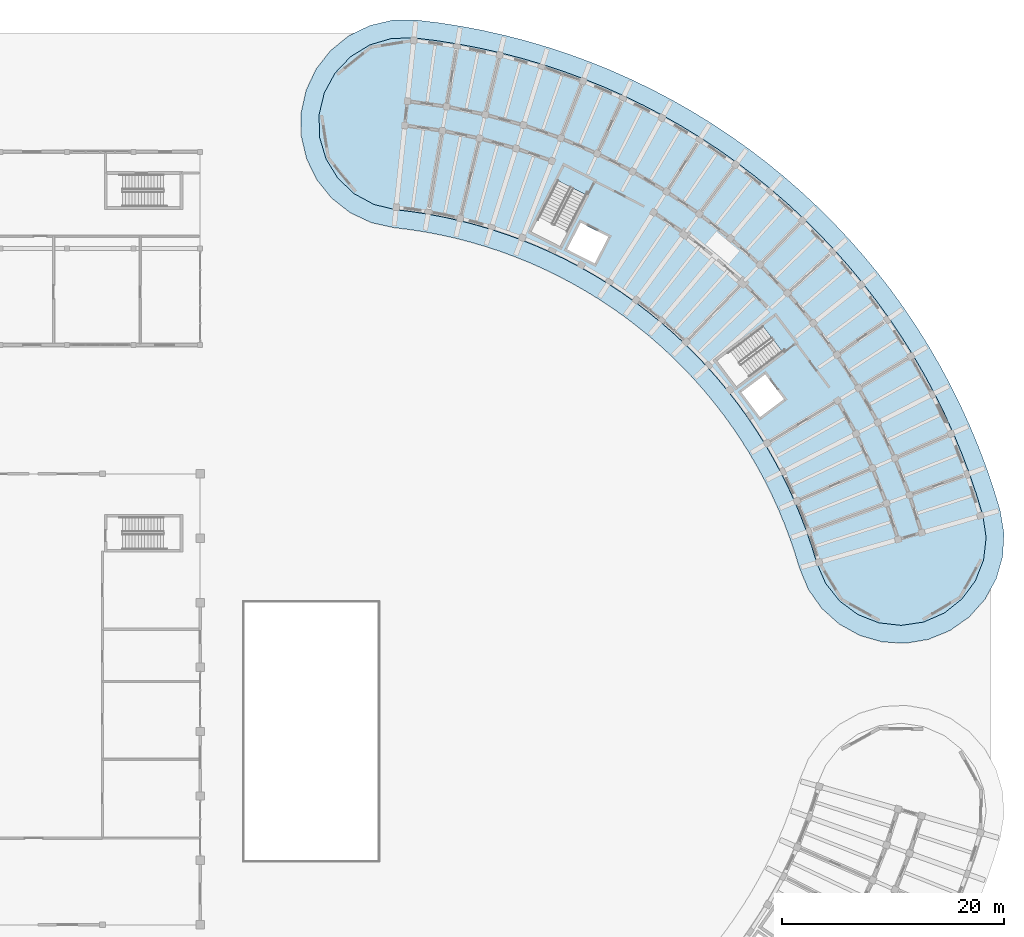
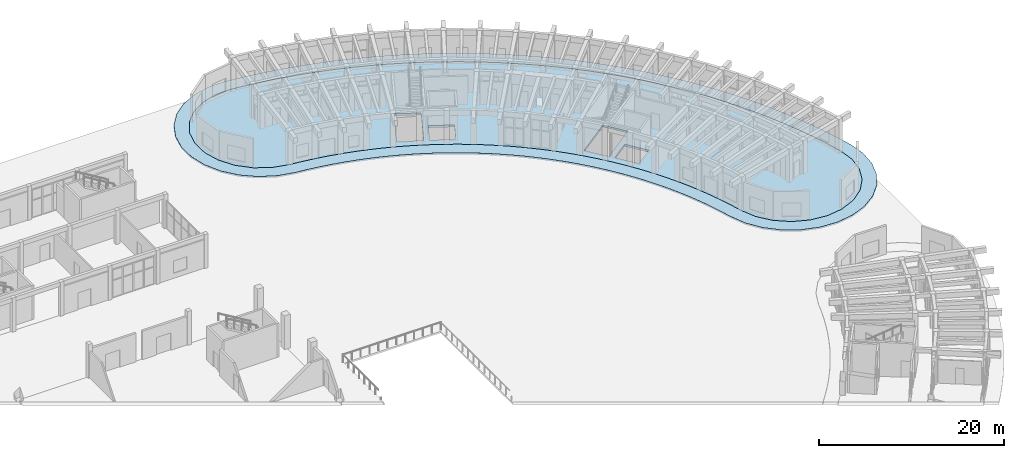
# One storey, part 83 of 132: 2 slabs.
"""IFC4 building model written with IfcOpenShell, lengths in metres."""

from ifc_helpers import new_model, si_unit, direction, frame, origin, place, context, subcontext, project, spatial, polyline, outline, extrude, material, layer, layer_set, type_object, element, save


model = new_model("IFC4")

# Units and contexts
model_context = context("Model", 3, precision=1e-05, world=origin(), true_north=direction((0.0, 1.0)))
body_context = subcontext(model_context, "Body", "Model", "MODEL_VIEW")
ifc_project = project(units=[si_unit("LENGTHUNIT", "METRE"), si_unit("AREAUNIT", "SQUARE_METRE"), si_unit("VOLUMEUNIT", "CUBIC_METRE"), si_unit("PLANEANGLEUNIT", "RADIAN"), si_unit("MASSUNIT", "GRAM", prefix="KILO")], contexts=[model_context])

# Site, building, storey
site_placement = place(None, origin())
site = spatial("IfcSite", under=ifc_project, at=site_placement, CompositionType="ELEMENT")
building_placement = place(site_placement, origin())
building = spatial("IfcBuilding", under=site, at=building_placement, Name="Tanwirah Colonnade Gardens", CompositionType="ELEMENT")
storey_placement = place(building_placement, origin())
storey = spatial("IfcBuildingStorey", under=building, at=storey_placement, Name="L00", CompositionType="ELEMENT", Elevation=0.0)

# Slabs
ifc_material_1 = material(Name="Concrete C45/55", Category="concrete")
ifc_layer_1 = layer(ifc_material_1, 0.280029296875)
ifc_layer_set_1 = layer_set([ifc_layer_1], Name="Concrete C45/55")
slab_type_1 = type_object("IfcSlabType", Name="SL-POD-280", PredefinedType="FLOOR", material=ifc_layer_set_1)
slab_1_placement = place(storey_placement, frame((0.0, 0.0, -0.280029296875)))
element("IfcSlab", 1, at=slab_1_placement, inside=storey, type_object=slab_type_1, Name="Block B L00 Precast Composite Floor Slab", PredefinedType="FLOOR", context=body_context, shape_type="SweptSolid", body=[
    extrude(outline(polyline([(162.5927734375, 75.156005859375), (163.06298828125, 73.777099609375), (163.48779296875, 72.383056640625), (164.2998046875, 70.515869140625), (165.5673828125, 68.92236328125), (167.2041015625, 67.711181640625), (169.0986328125, 66.96484375), (171.121826171875, 66.734375), (173.135498046875, 67.035400390625), (175.0029296875, 67.84716796875), (176.596435546875, 69.11474609375), (177.8076171875, 70.751708984375), (178.553955078125, 72.646240234375), (178.784423828125, 74.669189453125), (178.4833984375, 76.68310546875), (177.908935546875, 78.56884765625), (177.2724609375, 80.434814453125), (176.574951171875, 82.278564453125), (175.817138671875, 84.098388671875), (174.99951171875, 85.892333984375), (174.123291015625, 87.658203125), (173.189453125, 89.394287109375), (172.19873046875, 91.0986328125), (171.152587890625, 92.76953125), (170.0517578125, 94.40478515625), (168.897705078125, 96.0029296875), (167.69140625, 97.562255859375), (166.4345703125, 99.0810546875), (165.12841796875, 100.5576171875), (163.774169921875, 101.990234375), (162.37353515625, 103.377197265625), (160.927734375, 104.717529296875), (159.438720703125, 106.009521484375), (157.907958984375, 107.25146484375), (156.3369140625, 108.442626953125), (154.7275390625, 109.5810546875), (153.08154296875, 110.666015625), (151.400634765625, 111.696044921875), (149.686767578125, 112.669921875), (147.94189453125, 113.587158203125), (146.16748046875, 114.446044921875), (144.36572265625, 115.24609375), (142.53857421875, 115.986328125), (140.688232421875, 116.666015625), (138.816162109375, 117.284423828125), (136.925048828125, 117.840576171875), (135.016357421875, 118.334228515625), (133.092529296875, 118.7646484375), (131.15576171875, 119.13134765625), (129.207763671875, 119.43408203125), (127.250732421875, 119.67236328125), (125.21533203125, 119.619140625), (123.262939453125, 119.040771484375), (121.52685546875, 117.976806640625), (120.125244140625, 116.499755859375), (119.153564453125, 114.71044921875), (118.67822265625, 112.73046875), (118.7314453125, 110.695068359375), (119.309814453125, 108.74267578125), (120.373779296875, 107.00634765625), (121.850830078125, 105.604736328125), (123.64013671875, 104.63330078125), (125.6201171875, 104.157958984375), (127.066650390625, 103.981689453125), (128.50634765625, 103.758056640625), (129.93798828125, 103.48681640625), (131.35986328125, 103.168701171875), (132.770751953125, 102.803955078125), (134.16845703125, 102.392822265625), (135.552001953125, 101.935791015625), (136.919921875, 101.433349609375), (138.270263671875, 100.88623046875), (139.60205078125, 100.294921875), (140.91357421875, 99.659912109375), (142.203369140625, 98.982177734375), (143.47021484375, 98.26220703125), (144.71240234375, 97.5009765625), (145.92919921875, 96.698974609375), (147.11865234375, 95.857421875), (148.27978515625, 94.977294921875), (149.4111328125, 94.05908203125), (150.51171875, 93.104248046875), (151.580322265625, 92.11376953125), (152.61572265625, 91.08837890625), (153.61669921875, 90.029541015625), (154.58203125, 88.938232421875), (155.510986328125, 87.815673828125), (156.402587890625, 86.6630859375), (157.255615234375, 85.48193359375), (158.0693359375, 84.27294921875), (158.842529296875, 83.0380859375), (159.57470703125, 81.7783203125), (160.26513671875, 80.4951171875), (160.91259765625, 79.18994140625), (161.516845703125, 77.864013671875), (162.0771484375, 76.518798828125), (162.5927734375, 75.156005859375)]), holes=[polyline([(160.4169921875, 91.38427734375), (156.2666015625, 88.256591796875), (154.512939453125, 90.583740234375), (158.663330078125, 93.71142578125), (160.4169921875, 91.38427734375)]), polyline([(158.402587890625, 85.5048828125), (156.717529296875, 87.7412109375), (158.873779296875, 89.365966796875), (160.558837890625, 87.1298828125), (158.402587890625, 85.5048828125)]), polyline([(137.8017578125, 102.199951171875), (140.1611328125, 106.830322265625), (142.757568359375, 105.507568359375), (140.398193359375, 100.876953125), (137.8017578125, 102.199951171875)]), polyline([(142.255126953125, 103.01708984375), (144.75, 101.745849609375), (143.524169921875, 99.34033203125), (141.029541015625, 100.611328125), (142.255126953125, 103.01708984375)])]), origin(), (0.0, 0.0, 1.0), 0.280029296875),
])
ifc_material_2 = material(Name="White architectural precast concrete C40/50", Category="concrete")
ifc_layer_2 = layer(ifc_material_2, 0.215087890625)
ifc_layer_set_2 = layer_set([ifc_layer_2], Name="White architectural precast concrete C40/50")
slab_type_2 = type_object("IfcSlabType", Name="SL-VER-215", PredefinedType="FLOOR", material=ifc_layer_set_2)
slab_2_placement = place(storey_placement, frame((0.0, 0.0, -0.215087890625)))
element("IfcSlab", 2, at=slab_2_placement, inside=storey, type_object=slab_type_2, Name="Block B L00 Continuous White Balcony Ribbon", PredefinedType="FLOOR", context=body_context, shape_type="SweptSolid", body=[
    extrude(outline(polyline([(162.7529296875, 69.996337890625), (163.96875, 68.2783203125), (165.53662109375, 66.873779296875), (167.37744140625, 65.853271484375), (169.3994140625, 65.267822265625), (171.5009765625, 65.147216796875), (173.57666015625, 65.497314453125), (175.522216796875, 66.30029296875), (177.240478515625, 67.516357421875), (178.64501953125, 69.083984375), (179.66552734375, 70.925048828125), (180.250732421875, 72.947021484375), (180.37158203125, 75.048583984375), (180.021484375, 77.1240234375), (179.431640625, 79.060302734375), (178.778076171875, 80.97607421875), (178.06201171875, 82.869140625), (177.28369140625, 84.73779296875), (176.4443359375, 86.57958984375), (175.544677734375, 88.392822265625), (174.585693359375, 90.17529296875), (173.568603515625, 91.92529296875), (172.494384765625, 93.640869140625), (171.3642578125, 95.320068359375), (170.17919921875, 96.9609375), (168.940673828125, 98.56201171875), (167.650146484375, 100.121337890625), (166.30908203125, 101.63720703125), (164.91845703125, 103.108154296875), (163.48046875, 104.532470703125), (161.99609375, 105.90869140625), (160.467041015625, 107.235107421875), (158.895263671875, 108.510498046875), (157.282470703125, 109.7333984375), (155.6298828125, 110.90234375), (153.93994140625, 112.01611328125), (152.214111328125, 113.07373046875), (150.454345703125, 114.073974609375), (148.66259765625, 115.015380859375), (146.8408203125, 115.8974609375), (144.990966796875, 116.718994140625), (143.114990234375, 117.47900390625), (141.21484375, 118.1767578125), (139.29296875, 118.811767578125), (137.35107421875, 119.3828125), (135.391357421875, 119.8896484375), (133.416259765625, 120.33154296875), (131.427490234375, 120.7080078125), (129.42724609375, 121.018798828125), (127.41796875, 121.263671875), (125.313232421875, 121.247802734375), (123.2646484375, 120.76416015625), (121.375, 119.836669921875), (119.7392578125, 118.511962890625), (118.439208984375, 116.8564453125), (117.5400390625, 114.953369140625), (117.0869140625, 112.897705078125), (117.102783203125, 110.792724609375), (117.58642578125, 108.744140625), (118.513916015625, 106.854736328125), (119.838623046875, 105.21875), (121.494140625, 103.918701171875), (123.397216796875, 103.019775390625), (125.452880859375, 102.566650390625), (126.846923828125, 102.396728515625), (128.234619140625, 102.18115234375), (129.614501953125, 101.919921875), (130.98486328125, 101.61328125), (132.344482421875, 101.26171875), (133.69189453125, 100.865478515625), (135.025390625, 100.425048828125), (136.343505859375, 99.94091796875), (137.645263671875, 99.41357421875), (138.9287109375, 98.843505859375), (140.192626953125, 98.231689453125), (141.435791015625, 97.578369140625), (142.65673828125, 96.884521484375), (143.85400390625, 96.150634765625), (145.026611328125, 95.3779296875), (146.173095703125, 94.566650390625), (147.292236328125, 93.71826171875), (148.3828125, 92.83349609375), (149.443603515625, 91.9130859375), (150.473388671875, 90.95849609375), (151.47119140625, 89.97021484375), (152.435791015625, 88.94970703125), (153.366455078125, 87.89794921875), (154.26171875, 86.81591796875), (155.12109375, 85.705078125), (155.943115234375, 84.566650390625), (156.727294921875, 83.401611328125), (157.47265625, 82.21142578125), (158.178466796875, 80.997314453125), (158.84375, 79.760498046875), (159.468017578125, 78.50244140625), (160.05029296875, 77.224609375), (160.590087890625, 75.92822265625), (161.087158203125, 74.61474609375), (161.54052734375, 73.28564453125), (161.94970703125, 71.942138671875), (162.7529296875, 69.996337890625)]), holes=[polyline([(164.31689453125, 70.526123046875), (163.506591796875, 72.39013671875), (163.082275390625, 73.78271484375), (163.08203125, 73.783447265625), (162.611572265625, 75.16259765625), (162.611328125, 75.1630859375), (162.095947265625, 76.52587890625), (162.095703125, 76.526611328125), (161.535400390625, 77.87158203125), (161.53515625, 77.872314453125), (160.930908203125, 79.1982421875), (160.9306640625, 79.19873046875), (160.282958984375, 80.504150390625), (160.28271484375, 80.504638671875), (159.59228515625, 81.787841796875), (159.592041015625, 81.788330078125), (158.85986328125, 83.048095703125), (158.859619140625, 83.048828125), (158.086181640625, 84.28369140625), (158.0859375, 84.2841796875), (157.272216796875, 85.492919921875), (157.271728515625, 85.493408203125), (156.418701171875, 86.6748046875), (156.41845703125, 86.67529296875), (155.52685546875, 87.827880859375), (155.526611328125, 87.828369140625), (154.597412109375, 88.950927734375), (154.59716796875, 88.951416015625), (153.631591796875, 90.042724609375), (153.631103515625, 90.043212890625), (152.630126953125, 91.10205078125), (152.629638671875, 91.1025390625), (151.594482421875, 92.1279296875), (151.593994140625, 92.12841796875), (150.525390625, 93.118896484375), (150.52490234375, 93.119384765625), (149.42431640625, 94.07421875), (149.423828125, 94.07470703125), (148.292236328125, 94.99267578125), (148.291748046875, 94.9931640625), (147.130615234375, 95.87353515625), (147.130126953125, 95.873779296875), (145.940673828125, 96.71533203125), (145.940185546875, 96.7158203125), (144.723388671875, 97.517578125), (144.722900390625, 97.51806640625), (143.48046875, 98.279296875), (143.47998046875, 98.279541015625), (142.213134765625, 98.99951171875), (142.212646484375, 99.0), (140.9228515625, 99.677734375), (140.922119140625, 99.677978515625), (139.61083984375, 100.31298828125), (139.610107421875, 100.313232421875), (138.2783203125, 100.904541015625), (138.27783203125, 100.90478515625), (136.92724609375, 101.451904296875), (136.9267578125, 101.4521484375), (135.55908203125, 101.95458984375), (135.558349609375, 101.954833984375), (134.1748046875, 102.411865234375), (134.174072265625, 102.411865234375), (132.7763671875, 102.822998046875), (132.775634765625, 102.8232421875), (131.364990234375, 103.18798828125), (131.3642578125, 103.188232421875), (129.9423828125, 103.50634765625), (129.941650390625, 103.506591796875), (128.510009765625, 103.777587890625), (128.509521484375, 103.777587890625), (127.069580078125, 104.00146484375), (127.069091796875, 104.00146484375), (125.623779296875, 104.177490234375), (123.6474609375, 104.652099609375), (121.862548828125, 105.62109375), (120.389404296875, 107.01904296875), (119.328369140625, 108.750732421875), (118.75146484375, 110.697998046875), (118.6982421875, 112.728271484375), (119.17236328125, 114.703125), (120.141357421875, 116.488037109375), (121.53955078125, 117.961181640625), (123.271240234375, 119.0224609375), (125.218505859375, 119.59912109375), (127.249755859375, 119.65234375), (129.204833984375, 119.414306640625), (131.15234375, 119.111572265625), (133.088623046875, 118.744873046875), (135.01171875, 118.314697265625), (136.919677734375, 117.8212890625), (138.810302734375, 117.26513671875), (140.681640625, 116.647216796875), (142.531494140625, 115.9677734375), (144.35791015625, 115.227783203125), (146.158935546875, 114.427978515625), (147.932861328125, 113.5693359375), (149.67724609375, 112.652587890625), (151.390625, 111.6787109375), (153.07080078125, 110.649169921875), (154.71630859375, 109.564453125), (156.3251953125, 108.42626953125), (157.8955078125, 107.23583984375), (159.42578125, 105.994140625), (160.914306640625, 104.70263671875), (162.359619140625, 103.36279296875), (163.759765625, 101.97607421875), (165.113525390625, 100.5439453125), (166.41943359375, 99.068115234375), (167.67578125, 97.5498046875), (168.881591796875, 95.990966796875), (170.035400390625, 94.393310546875), (171.1357421875, 92.758544921875), (172.181640625, 91.08837890625), (173.171875, 89.384521484375), (174.10546875, 87.64892578125), (174.9814453125, 85.883544921875), (175.798828125, 84.09033203125), (176.556396484375, 82.271240234375), (177.253662109375, 80.427978515625), (177.889892578125, 78.562744140625), (178.4638671875, 76.6787109375), (178.76416015625, 74.6689453125), (178.534423828125, 72.651123046875), (177.7900390625, 70.761474609375), (176.58203125, 69.12890625), (174.992431640625, 67.864501953125), (173.130126953125, 67.0546875), (171.121337890625, 66.75439453125), (169.103515625, 66.984375), (167.2138671875, 67.728759765625), (165.581298828125, 68.936767578125), (164.31689453125, 70.526123046875)])]), origin(), (0.0, 0.0, 1.0), 0.215087890625),
])

save(model, "model.ifc")
